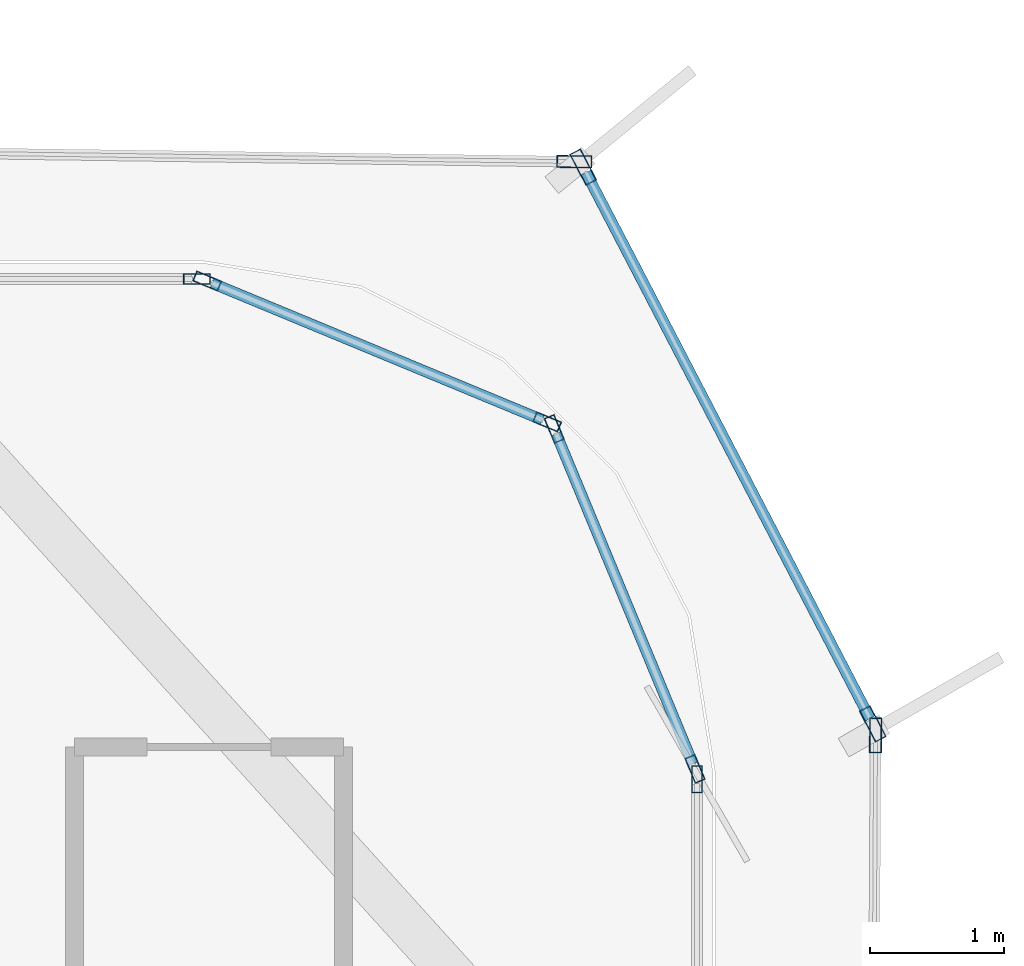
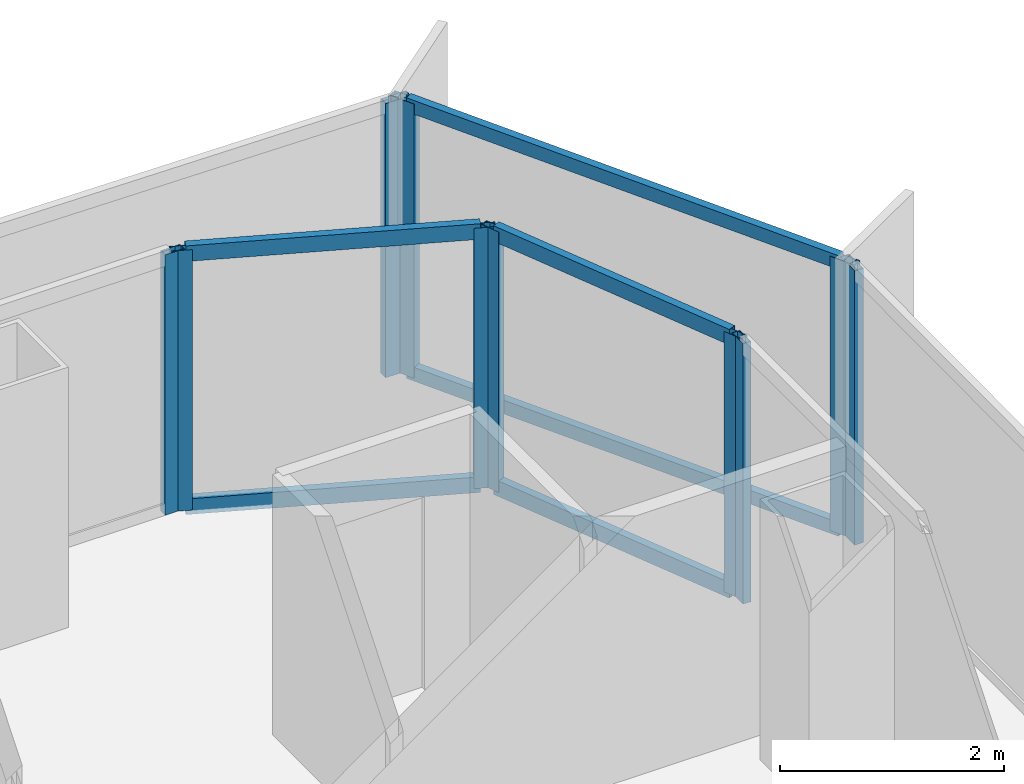
# One storey, part 14 of 21: 16 members, 7 elements without a shape of their own.
"""IFC4 building model written with IfcOpenShell, lengths in metres."""

import ifcopenshell
import ifcopenshell.guid

model = None  # the IFC model being written
_history = None  # IfcOwnerHistory: only IFC2X3 demands one
_inside = {}  # id of a spatial element -> (the spatial element, [elements in it])
_under = {}  # id of a project, library or spatial element -> (it, [spatial elements below it])
_declared = {}  # id of a project -> (the project, [libraries it declares])
_typed = {}  # id of a type object -> (the type object, [elements of that type])
_made_of = {}  # id of a material, layer set ... -> (it, [elements and type objects made of it])


def new_model(schema):
    """Start an empty IFC model of exactly this schema.

    Asked for "IFC4X3", IfcOpenShell would pick the latest addendum, in which some entities
    have other attributes; the version numbers below select the first issue.
    IFC2X3 requires an IfcOwnerHistory on every rooted entity: one is made here for all.
    """
    global model, _history
    if schema == "IFC4X3":
        model = ifcopenshell.file(schema_version=(4, 3, 0, 0))
    else:
        model = ifcopenshell.file(schema=schema)
    _inside.clear()
    _under.clear()
    _declared.clear()
    _typed.clear()
    _made_of.clear()
    _history = None
    if model.schema == "IFC2X3":
        org = make("IfcOrganization", Name="unknown")
        user = make(
            "IfcPersonAndOrganization",
            ThePerson=make("IfcPerson", FamilyName="unknown"),
            TheOrganization=org,
        )
        app = make(
            "IfcApplication",
            ApplicationDeveloper=org,
            Version="unknown",
            ApplicationFullName="unknown",
            ApplicationIdentifier="unknown",
        )
        _history = make(
            "IfcOwnerHistory",
            OwningUser=user,
            OwningApplication=app,
            ChangeAction="ADDED",
            CreationDate=0,
        )
    return model


def make(cls, **values):
    """One entity of the class cls with the attributes given. An attribute that is None is left unset."""
    return model.create_entity(
        cls, **{name: value for name, value in values.items() if value is not None}
    )


def rooted(cls, **values):
    """An entity with a GlobalId (a new one), such as an element, a storey or a relation."""
    return make(cls, GlobalId=ifcopenshell.guid.new(), OwnerHistory=_history, **values)


def si_unit(unit_type, name, prefix=None):
    """IfcSIUnit, for example si_unit("LENGTHUNIT", "METRE", prefix="MILLI")."""
    return make("IfcSIUnit", UnitType=unit_type, Prefix=prefix, Name=name)


def assignment(units):
    """IfcUnitAssignment: the units of a project."""
    return None if units is None else make("IfcUnitAssignment", Units=units)


def point(xyz):
    """IfcCartesianPoint."""
    return None if xyz is None else make("IfcCartesianPoint", Coordinates=xyz)


def direction(xyz):
    """IfcDirection."""
    return None if xyz is None else make("IfcDirection", DirectionRatios=xyz)


def frame(location, z_axis=None, x_axis=None):
    """IfcAxis2Placement3D, a coordinate frame: its origin and axes. An axis left out is left unset."""
    return make(
        "IfcAxis2Placement3D",
        Location=point(location),
        Axis=direction(z_axis),
        RefDirection=direction(x_axis),
    )


def frame_2d(location, x_axis=None):
    """IfcAxis2Placement2D, a coordinate frame in the plane: its origin and x axis."""
    return make(
        "IfcAxis2Placement2D", Location=point(location), RefDirection=direction(x_axis)
    )


def origin():
    """The frame at (0, 0, 0) with its axes left unset."""
    return frame((0.0, 0.0, 0.0))


def origin_2d():
    """The frame at (0, 0) in the plane with its x axis left unset."""
    return frame_2d((0.0, 0.0))


def place(relative_to, where):
    """IfcLocalPlacement: puts the frame where relative to a parent placement (None: the world)."""
    return make(
        "IfcLocalPlacement", PlacementRelTo=relative_to, RelativePlacement=where
    )


def context(
    kind, dimensions, precision=None, world=None, true_north=None, identifier=None
):
    """IfcGeometricRepresentationContext, for example the 3D "Model" context."""
    return make(
        "IfcGeometricRepresentationContext",
        ContextIdentifier=identifier,
        ContextType=kind,
        CoordinateSpaceDimension=dimensions,
        Precision=precision,
        WorldCoordinateSystem=world,
        TrueNorth=true_north,
    )


def subcontext(parent, identifier, kind, view, scale=None):
    """IfcGeometricRepresentationSubContext, for example "Body" below "Model"."""
    return make(
        "IfcGeometricRepresentationSubContext",
        ContextIdentifier=identifier,
        ContextType=kind,
        ParentContext=parent,
        TargetScale=scale,
        TargetView=view,
    )


def project(units=None, contexts=None):
    """IfcProject with its units and contexts."""
    return rooted(
        "IfcProject",
        Name="project",
        RepresentationContexts=contexts,
        UnitsInContext=assignment(units),
    )


def spatial(cls, under=None, at=None, **own):
    """A site, building, storey or space (cls), placed at a placement, below another one or the project."""
    s = rooted(cls, ObjectPlacement=at, **own)
    if under is not None:
        _under.setdefault(under.id(), (under, []))[1].append(s)
    return s


def profile(cls, at=None, kind="AREA", **sizes):
    """A parametric profile (cls). Its sizes go by their IFC names, for example OverallWidth=200.0."""
    return make(cls, ProfileType=kind, Position=at, **sizes)


def hollow_rectangle(**sizes):
    """IfcRectangleHollowProfileDef."""
    return profile("IfcRectangleHollowProfileDef", **sizes)


def extrude(swept, where, along, depth):
    """IfcExtrudedAreaSolid: the profile swept, set in the frame where, extruded along a direction by depth."""
    return make(
        "IfcExtrudedAreaSolid",
        SweptArea=swept,
        Position=where,
        ExtrudedDirection=direction(along),
        Depth=depth,
    )


def shape(context_of_items, identifier, shape_type, items):
    """IfcShapeRepresentation: the items that make up one representation, for example the "Body"."""
    return make(
        "IfcShapeRepresentation",
        ContextOfItems=context_of_items,
        RepresentationIdentifier=identifier,
        RepresentationType=shape_type,
        Items=items,
    )


def source(mapping_origin, context_of_items, identifier, shape_type, items):
    """IfcRepresentationMap: a shape defined once, which mapped items show again and again."""
    return make(
        "IfcRepresentationMap",
        MappingOrigin=mapping_origin,
        MappedRepresentation=shape(context_of_items, identifier, shape_type, items),
    )


def transform(
    local_origin,
    x_axis=None,
    y_axis=None,
    z_axis=None,
    scale=None,
    scale2=None,
    scale3=None,
    uniform=True,
):
    """IfcCartesianTransformationOperator3D, or its non-uniform kind. x_axis, y_axis, z_axis: its Axis1, 2, 3."""
    if uniform:
        return make(
            "IfcCartesianTransformationOperator3D",
            Axis1=direction(x_axis),
            Axis2=direction(y_axis),
            LocalOrigin=point(local_origin),
            Scale=scale,
            Axis3=direction(z_axis),
        )
    return make(
        "IfcCartesianTransformationOperator3DnonUniform",
        Axis1=direction(x_axis),
        Axis2=direction(y_axis),
        LocalOrigin=point(local_origin),
        Scale=scale,
        Axis3=direction(z_axis),
        Scale2=scale2,
        Scale3=scale3,
    )


def mapped(mapping_source, mapping_target):
    """IfcMappedItem: shows the shape of a source again, moved by a transform."""
    return make(
        "IfcMappedItem", MappingSource=mapping_source, MappingTarget=mapping_target
    )


def material(Name=None, Category=None):
    """IfcMaterial."""
    return make("IfcMaterial", Name=Name, Category=Category)


def layer(
    of_material, thickness, ventilated=None, Name=None, Category=None, Priority=None
):
    """IfcMaterialLayer: one layer of a wall or slab, of a material (None: an air gap)."""
    return make(
        "IfcMaterialLayer",
        Material=of_material,
        LayerThickness=thickness,
        IsVentilated=ventilated,
        Name=Name,
        Category=Category,
        Priority=Priority,
    )


def layer_set(layers, Name=None):
    """IfcMaterialLayerSet."""
    return make("IfcMaterialLayerSet", MaterialLayers=layers, LayerSetName=Name)


def material_profile(
    of_material, cross_section, Name=None, Category=None, Priority=None
):
    """IfcMaterialProfile: a cross section and its material."""
    return make(
        "IfcMaterialProfile",
        Name=Name,
        Material=of_material,
        Profile=cross_section,
        Priority=Priority,
        Category=Category,
    )


def profile_set(profiles, Name=None, composite=None):
    """IfcMaterialProfileSet."""
    return make(
        "IfcMaterialProfileSet",
        Name=Name,
        MaterialProfiles=profiles,
        CompositeProfile=composite,
    )


def made_of(thing, what):
    """Note that an element or type object is made of a material, layer set ...; save() writes the relation."""
    if what is not None:
        _made_of.setdefault(what.id(), (what, []))[1].append(thing)
    return thing


def type_object(cls, material=None, **own):
    """A type object (cls), such as IfcWallType, which elements share."""
    return made_of(rooted(cls, **own), material)


def element(
    cls,
    number,
    at=None,
    inside=None,
    cuts=None,
    type_object=None,
    material=None,
    context=None,
    identifier="Body",
    shape_type=None,
    held_by="IfcProductDefinitionShape",
    body=None,
    shapes=None,
    **own,
):
    """One element of the class cls, such as IfcWall. Its Tag is "e" and its number.

    at: its placement. inside: the storey or other place that contains it. cuts: it is an
    opening in that element (IfcRelVoidsElement). A single representation is given by context,
    identifier, shape_type and body (its items); several are given by shapes. held_by: the class
    of the entity that holds the representations. save() writes the other relations.
    """
    e = rooted(cls, Tag="e%d" % number, ObjectPlacement=at, **own)
    if body is not None:
        shapes = [shape(context, identifier, shape_type, body)]
    if shapes is not None:
        e.Representation = make(held_by, Representations=shapes)
    if inside is not None:
        _inside.setdefault(inside.id(), (inside, []))[1].append(e)
    if cuts is not None:
        rooted(
            "IfcRelVoidsElement", RelatingBuildingElement=cuts, RelatedOpeningElement=e
        )
    if type_object is not None:
        _typed.setdefault(type_object.id(), (type_object, []))[1].append(e)
    return made_of(e, material)


def aggregate(whole, parts):
    """IfcRelAggregates: a whole, such as a stair, and the parts it consists of."""
    return rooted("IfcRelAggregates", RelatingObject=whole, RelatedObjects=parts)


def save(model, path):
    """Write the relations noted so far, then the file.

    IfcRelAggregates (storeys below a building ...), IfcRelContainedInSpatialStructure (elements
    in a storey), IfcRelDefinesByType, IfcRelAssociatesMaterial and IfcRelDeclares: one each for
    every whole, place, type object, material and project.
    """
    for whole, parts in _under.values():
        aggregate(whole, parts)
    for where, things in _inside.values():
        rooted(
            "IfcRelContainedInSpatialStructure",
            RelatedElements=things,
            RelatingStructure=where,
        )
    for kind, things in _typed.values():
        rooted("IfcRelDefinesByType", RelatedObjects=things, RelatingType=kind)
    for what, things in _made_of.values():
        rooted("IfcRelAssociatesMaterial", RelatedObjects=things, RelatingMaterial=what)
    for by, libraries in _declared.values():
        rooted("IfcRelDeclares", RelatingContext=by, RelatedDefinitions=libraries)
    model.write(path)


model = new_model("IFC4")

# Units and contexts
model_context = context("Model", 3, precision=1e-05, world=origin(), true_north=direction((0.0, 1.0)))
body_context = subcontext(model_context, "Body", "Model", "MODEL_VIEW")
ifc_project = project(units=[si_unit("LENGTHUNIT", "METRE"), si_unit("AREAUNIT", "SQUARE_METRE"), si_unit("VOLUMEUNIT", "CUBIC_METRE"), si_unit("PLANEANGLEUNIT", "RADIAN"), si_unit("MASSUNIT", "GRAM", prefix="KILO")], contexts=[model_context])

# Site, building, storey
site_placement = place(None, origin())
site = spatial("IfcSite", under=ifc_project, at=site_placement, CompositionType="ELEMENT")
building_placement = place(site_placement, origin())
building = spatial("IfcBuilding", under=site, at=building_placement, Name="Kolveth Station Tower", CompositionType="ELEMENT")
storey_placement = place(building_placement, frame((0.0, 0.0, 148.39990234375)))
storey = spatial("IfcBuildingStorey", under=building, at=storey_placement, Name="L41", CompositionType="ELEMENT", Elevation=148.39990234375)

# Curtain wall, members
ifc_material_1 = material(Name="Aluminium 6063-T6 and low-E dark glass", Category="aluminium")
ifc_layer_1 = layer(ifc_material_1, 0.18994140625)
ifc_layer_set_1 = layer_set([ifc_layer_1], Name="Aluminium 6063-T6 and low-E dark glass")
curtain_wall_type_1 = type_object("IfcCurtainWallType", Name="CurtainWall_CW-Z2", PredefinedType="NOTDEFINED", material=ifc_layer_set_1)
curtain_wall_1_placement = place(storey_placement, origin())
curtain_wall_1 = element("IfcCurtainWall", 1, at=curtain_wall_1_placement, inside=storey, type_object=curtain_wall_type_1, Name="L41 Inner Thermal Curtain Wall 4", PredefinedType="NOTDEFINED")
ifc_material_2 = material(Name="Black anodized aluminium 6063-T6", Category="aluminium")
ifc_material_profile_1 = material_profile(ifc_material_2, hollow_rectangle(XDim=0.080078125, YDim=0.169921875, WallThickness=0.0048828125, at=origin_2d()), Name="ALU-80x170x5")
ifc_profile_set_1 = profile_set([ifc_material_profile_1], Name="Black anodized aluminium 6063-T6")
member_type_1 = type_object("IfcMemberType", Name="Transom_TR2", PredefinedType="USERDEFINED", material=ifc_profile_set_1)
shared_shape_1 = source(origin(), body_context, "Body", "SweptSolid", [
    extrude(hollow_rectangle(XDim=0.080078125, YDim=0.169921875, WallThickness=0.0048828125, at=origin_2d()), origin(), (0.0, 0.0, 1.0), 2.656494140625),
])
member_1_placement = place(storey_placement, frame((46.849365234375, 31.573974609375, 0.0400390625), z_axis=(-0.382676455475, 0.923882422403, 0.0), x_axis=(-0.923882422403, -0.382676455475, 0.0)))
member_1 = element("IfcMember", 2, at=member_1_placement, type_object=member_type_1, Name="CW-Z2 transom 1.1", ObjectType="TRANSOM", PredefinedType="USERDEFINED", context=body_context, shape_type="MappedRepresentation", body=[
    mapped(shared_shape_1, transform((0.0, 0.0, 0.0), x_axis=(1.0, 0.0, 0.0), y_axis=(0.0, 1.0, 0.0), z_axis=(0.0, 0.0, 1.0), scale=1.0)),
])
member_2_placement = place(storey_placement, frame((46.849365234375, 31.573974609375, 2.800048828125), z_axis=(-0.382676455475, 0.923882422403, 0.0), x_axis=(-0.923882422403, -0.382676455475, 0.0)))
member_2 = element("IfcMember", 3, at=member_2_placement, type_object=member_type_1, Name="CW-Z2 transom 1.2", ObjectType="TRANSOM", PredefinedType="USERDEFINED", context=body_context, shape_type="MappedRepresentation", body=[
    mapped(shared_shape_1, transform((0.0, 0.0, 0.0), x_axis=(1.0, 0.0, 0.0), y_axis=(0.0, 1.0, 0.0), z_axis=(0.0, 0.0, 1.0), scale=1.0)),
])

curtain_wall_2_placement = place(storey_placement, origin())
curtain_wall_2 = element("IfcCurtainWall", 4, at=curtain_wall_2_placement, inside=storey, type_object=curtain_wall_type_1, Name="L41 Inner Thermal Curtain Wall 5", PredefinedType="NOTDEFINED")
member_3_placement = place(storey_placement, frame((45.728271484375, 34.1328125, 0.0400390625), z_axis=(-0.923882422403, 0.382676455475, 0.0), x_axis=(-0.382676455475, -0.923882422403, 0.0)))
member_3 = element("IfcMember", 5, at=member_3_placement, type_object=member_type_1, Name="CW-Z2 transom 1.1", ObjectType="TRANSOM", PredefinedType="USERDEFINED", context=body_context, shape_type="MappedRepresentation", body=[
    mapped(shared_shape_1, transform((0.0, 0.0, 0.0), x_axis=(1.0, 0.0, 0.0), y_axis=(0.0, 1.0, 0.0), z_axis=(0.0, 0.0, 1.0), scale=1.0)),
])
member_4_placement = place(storey_placement, frame((45.728271484375, 34.1328125, 2.800048828125), z_axis=(-0.923882422403, 0.382676455475, 0.0), x_axis=(-0.382676455475, -0.923882422403, 0.0)))
member_4 = element("IfcMember", 6, at=member_4_placement, type_object=member_type_1, Name="CW-Z2 transom 1.2", ObjectType="TRANSOM", PredefinedType="USERDEFINED", context=body_context, shape_type="MappedRepresentation", body=[
    mapped(shared_shape_1, transform((0.0, 0.0, 0.0), x_axis=(1.0, 0.0, 0.0), y_axis=(0.0, 1.0, 0.0), z_axis=(0.0, 0.0, 1.0), scale=1.0)),
])

# Curtain wall, member
ifc_material_3 = material(Name="Black anodized aluminium 6063-T6 and dark solar glass", Category="aluminium")
ifc_layer_2 = layer(ifc_material_3, 0.159912109375)
ifc_layer_set_2 = layer_set([ifc_layer_2], Name="Black anodized aluminium 6063-T6 and dark solar glass")
curtain_wall_type_2 = type_object("IfcCurtainWallType", Name="OUTER SKIN CW-OS", PredefinedType="NOTDEFINED", material=ifc_layer_set_2)
curtain_wall_3_placement = place(storey_placement, origin())
curtain_wall_3 = element("IfcCurtainWall", 7, at=curtain_wall_3_placement, inside=storey, type_object=curtain_wall_type_2, Name="L41 Outer Ventilated Skin Curtain Wall 2", PredefinedType="NOTDEFINED")
ifc_material_profile_2 = material_profile(ifc_material_2, hollow_rectangle(XDim=0.090087890625, YDim=0.260009765625, WallThickness=0.0048828125, at=origin_2d()), Name="ALU-90x260x5")
ifc_profile_set_2 = profile_set([ifc_material_profile_2], Name="Black anodized aluminium 6063-T6")
member_type_2 = type_object("IfcMemberType", Name="FIN MULLION ML-OS", PredefinedType="MULLION", material=ifc_profile_set_2)
shared_shape_2 = source(origin(), body_context, "Body", "SweptSolid", [
    extrude(hollow_rectangle(XDim=0.090087890625, YDim=0.260009765625, WallThickness=0.0048828125, at=origin_2d()), origin(), (0.0, 0.0, 1.0), 2.989990234375),
])
member_5_placement = place(storey_placement, frame((48.207275390625, 31.78662109375, 0.0), z_axis=(0.0, 0.0, 1.0), x_axis=(-0.999985919454, 0.005306683782, 0.0)))
member_5 = element("IfcMember", 8, at=member_5_placement, type_object=member_type_2, Name="CW-OS mullion 2", PredefinedType="MULLION", context=body_context, shape_type="MappedRepresentation", body=[
    mapped(shared_shape_2, transform((0.0, 0.0, 0.0), x_axis=(1.0, 0.0, 0.0), y_axis=(0.0, 1.0, 0.0), z_axis=(0.0, 0.0, 1.0), scale=1.0)),
])
aggregate(curtain_wall_3, [member_5])

# Curtain wall, members
curtain_wall_4_placement = place(storey_placement, origin())
curtain_wall_4 = element("IfcCurtainWall", 9, at=curtain_wall_4_placement, inside=storey, type_object=curtain_wall_type_2, Name="L41 Outer Ventilated Skin Curtain Wall 3", PredefinedType="NOTDEFINED")
member_6_placement = place(storey_placement, frame((48.186767578125, 31.87158203125, 0.0), z_axis=(0.0, 0.0, 1.0), x_axis=(-0.887170680936, -0.461441418695, 0.0)))
member_6 = element("IfcMember", 10, at=member_6_placement, type_object=member_type_2, Name="CW-OS mullion 1", PredefinedType="MULLION", context=body_context, shape_type="MappedRepresentation", body=[
    mapped(shared_shape_2, transform((0.0, 0.0, 0.0), x_axis=(1.0, 0.0, 0.0), y_axis=(0.0, 1.0, 0.0), z_axis=(0.0, 0.0, 1.0), scale=1.0)),
])
member_7_placement = place(storey_placement, frame((46.032958984375, 36.012451171875, 0.0), z_axis=(0.0, 0.0, 1.0), x_axis=(-0.887170680936, -0.461441418695, 0.0)))
member_7 = element("IfcMember", 11, at=member_7_placement, type_object=member_type_2, Name="CW-OS mullion 2", PredefinedType="MULLION", context=body_context, shape_type="MappedRepresentation", body=[
    mapped(shared_shape_2, transform((0.0, 0.0, 0.0), x_axis=(1.0, 0.0, 0.0), y_axis=(0.0, 1.0, 0.0), z_axis=(0.0, 0.0, 1.0), scale=1.0)),
])

# Curtain wall, member
curtain_wall_5_placement = place(storey_placement, origin())
curtain_wall_5 = element("IfcCurtainWall", 12, at=curtain_wall_5_placement, inside=storey, type_object=curtain_wall_type_2, Name="L41 Outer Ventilated Skin Curtain Wall 4", PredefinedType="NOTDEFINED")
member_8_placement = place(storey_placement, frame((45.96728515625, 36.052978515625, 0.0), z_axis=(0.0, 0.0, 1.0), x_axis=(-0.013762969678, -0.999905285847, 0.0)))
member_8 = element("IfcMember", 13, at=member_8_placement, type_object=member_type_2, Name="CW-OS mullion 1", PredefinedType="MULLION", context=body_context, shape_type="MappedRepresentation", body=[
    mapped(shared_shape_2, transform((0.0, 0.0, 0.0), x_axis=(1.0, 0.0, 0.0), y_axis=(0.0, 1.0, 0.0), z_axis=(0.0, 0.0, 1.0), scale=1.0)),
])
aggregate(curtain_wall_5, [member_8])

curtain_wall_6_placement = place(storey_placement, origin())
curtain_wall_6 = element("IfcCurtainWall", 14, at=curtain_wall_6_placement, inside=storey, type_object=curtain_wall_type_1, Name="L41 Inner Thermal Curtain Wall 3", PredefinedType="NOTDEFINED")
ifc_material_profile_3 = material_profile(ifc_material_2, hollow_rectangle(XDim=0.080078125, YDim=0.199951171875, WallThickness=0.0048828125, at=origin_2d()), Name="ALU-80x200x5")
ifc_profile_set_3 = profile_set([ifc_material_profile_3], Name="Black anodized aluminium 6063-T6")
member_type_3 = type_object("IfcMemberType", Name="Mullion_ML2", PredefinedType="MULLION", material=ifc_profile_set_3)
shared_shape_3 = source(origin(), body_context, "Body", "SweptSolid", [
    extrude(hollow_rectangle(XDim=0.080078125, YDim=0.199951171875, WallThickness=0.0048828125, at=origin_2d()), origin(), (0.0, 0.0, 1.0), 2.840087890625),
])
member_9_placement = place(storey_placement, frame((46.8798828125, 31.4599609375, 0.0), z_axis=(0.0, 0.0, 1.0), x_axis=(-1.0, 0.0, 0.0)))
member_9 = element("IfcMember", 15, at=member_9_placement, type_object=member_type_3, Name="CW-Z2 mullion 2", PredefinedType="MULLION", context=body_context, shape_type="MappedRepresentation", body=[
    mapped(shared_shape_3, transform((0.0, 0.0, 0.0), x_axis=(1.0, 0.0, 0.0), y_axis=(0.0, 1.0, 0.0), z_axis=(0.0, 0.0, 1.0), scale=1.0)),
])
aggregate(curtain_wall_6, [member_9])

# Member
member_10_placement = place(storey_placement, frame((46.86474609375, 31.536865234375, 0.0), z_axis=(0.0, 0.0, 1.0), x_axis=(-0.923887883787, -0.38266326998, 0.0)))
member_10 = element("IfcMember", 16, at=member_10_placement, type_object=member_type_3, Name="CW-Z2 mullion 1", PredefinedType="MULLION", context=body_context, shape_type="MappedRepresentation", body=[
    mapped(shared_shape_3, transform((0.0, 0.0, 0.0), x_axis=(1.0, 0.0, 0.0), y_axis=(0.0, 1.0, 0.0), z_axis=(0.0, 0.0, 1.0), scale=1.0)),
])

member_11_placement = place(storey_placement, frame((45.817626953125, 34.065185546875, 0.0), z_axis=(0.0, 0.0, 1.0), x_axis=(-0.923887883787, -0.38266326998, 0.0)))
member_11 = element("IfcMember", 17, at=member_11_placement, type_object=member_type_3, Name="CW-Z2 mullion 2", PredefinedType="MULLION", context=body_context, shape_type="MappedRepresentation", body=[
    mapped(shared_shape_3, transform((0.0, 0.0, 0.0), x_axis=(1.0, 0.0, 0.0), y_axis=(0.0, 1.0, 0.0), z_axis=(0.0, 0.0, 1.0), scale=1.0)),
])

aggregate(curtain_wall_1, [member_10, member_11, member_1, member_2])

member_12_placement = place(storey_placement, frame((45.76513671875, 34.117431640625, 0.0), z_axis=(0.0, 0.0, 1.0), x_axis=(-0.38266326998, -0.923887883787, 0.0)))
member_12 = element("IfcMember", 18, at=member_12_placement, type_object=member_type_3, Name="CW-Z2 mullion 1", PredefinedType="MULLION", context=body_context, shape_type="MappedRepresentation", body=[
    mapped(shared_shape_3, transform((0.0, 0.0, 0.0), x_axis=(1.0, 0.0, 0.0), y_axis=(0.0, 1.0, 0.0), z_axis=(0.0, 0.0, 1.0), scale=1.0)),
])

member_13_placement = place(storey_placement, frame((43.237060546875, 35.164794921875, 0.0), z_axis=(0.0, 0.0, 1.0), x_axis=(-0.38266326998, -0.923887883787, 0.0)))
member_13 = element("IfcMember", 19, at=member_13_placement, type_object=member_type_3, Name="CW-Z2 mullion 2", PredefinedType="MULLION", context=body_context, shape_type="MappedRepresentation", body=[
    mapped(shared_shape_3, transform((0.0, 0.0, 0.0), x_axis=(1.0, 0.0, 0.0), y_axis=(0.0, 1.0, 0.0), z_axis=(0.0, 0.0, 1.0), scale=1.0)),
])

aggregate(curtain_wall_2, [member_12, member_13, member_3, member_4])

# Curtain wall, member
curtain_wall_7_placement = place(storey_placement, origin())
curtain_wall_7 = element("IfcCurtainWall", 20, at=curtain_wall_7_placement, inside=storey, type_object=curtain_wall_type_1, Name="L41 Inner Thermal Curtain Wall 6", PredefinedType="NOTDEFINED")
member_14_placement = place(storey_placement, frame((43.159912109375, 35.179931640625, 0.0), z_axis=(0.0, 0.0, 1.0), x_axis=(0.0, -1.0, 0.0)))
member_14 = element("IfcMember", 21, at=member_14_placement, type_object=member_type_3, Name="CW-Z2 mullion 1", PredefinedType="MULLION", context=body_context, shape_type="MappedRepresentation", body=[
    mapped(shared_shape_3, transform((0.0, 0.0, 0.0), x_axis=(1.0, 0.0, 0.0), y_axis=(0.0, 1.0, 0.0), z_axis=(0.0, 0.0, 1.0), scale=1.0)),
])
aggregate(curtain_wall_7, [member_14])

# Member
ifc_material_profile_4 = material_profile(ifc_material_2, hollow_rectangle(XDim=0.080078125, YDim=0.14990234375, WallThickness=0.0048828125, at=origin_2d()), Name="ALU-80x150x5")
ifc_profile_set_4 = profile_set([ifc_material_profile_4], Name="Black anodized aluminium 6063-T6")
member_type_4 = type_object("IfcMemberType", Name="Transom_TR-OS", PredefinedType="USERDEFINED", material=ifc_profile_set_4)
shared_shape_4 = source(origin(), body_context, "Body", "SweptSolid", [
    extrude(hollow_rectangle(XDim=0.080078125, YDim=0.14990234375, WallThickness=0.0048828125, at=origin_2d()), origin(), (0.0, 0.0, 1.0), 4.57763671875),
])
member_15_placement = place(storey_placement, frame((48.166015625, 31.911376953125, 0.0400390625), z_axis=(-0.461450133146, 0.887166148261, 0.0), x_axis=(-0.887166148261, -0.461450133146, 0.0)))
member_15 = element("IfcMember", 22, at=member_15_placement, type_object=member_type_4, Name="CW-OS transom 1.1", ObjectType="TRANSOM", PredefinedType="USERDEFINED", context=body_context, shape_type="MappedRepresentation", body=[
    mapped(shared_shape_4, transform((0.0, 0.0, 0.0), x_axis=(1.0, 0.0, 0.0), y_axis=(0.0, 1.0, 0.0), z_axis=(0.0, 0.0, 1.0), scale=1.0)),
])

member_16_placement = place(storey_placement, frame((48.166015625, 31.911376953125, 2.9501953125), z_axis=(-0.461450133146, 0.887166148261, 0.0), x_axis=(-0.887166148261, -0.461450133146, 0.0)))
member_16 = element("IfcMember", 23, at=member_16_placement, type_object=member_type_4, Name="CW-OS transom 1.2", ObjectType="TRANSOM", PredefinedType="USERDEFINED", context=body_context, shape_type="MappedRepresentation", body=[
    mapped(shared_shape_4, transform((0.0, 0.0, 0.0), x_axis=(1.0, 0.0, 0.0), y_axis=(0.0, 1.0, 0.0), z_axis=(0.0, 0.0, 1.0), scale=1.0)),
])

aggregate(curtain_wall_4, [member_6, member_7, member_15, member_16])

save(model, "model.ifc")
